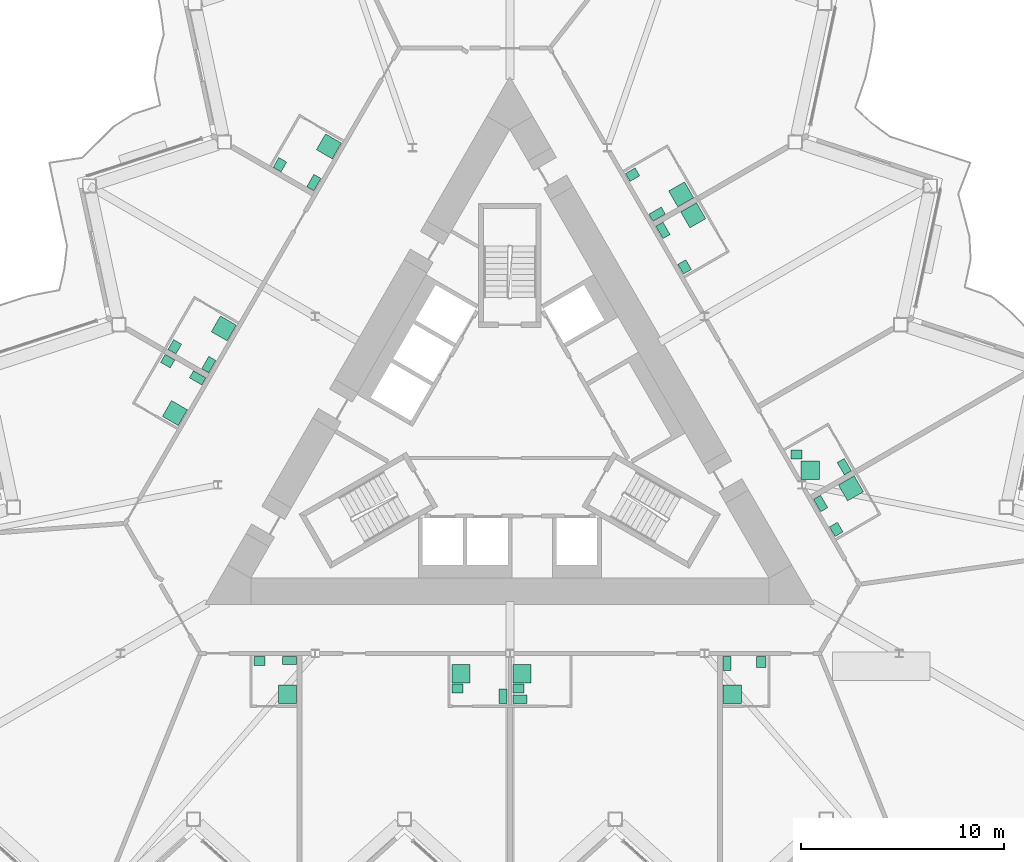
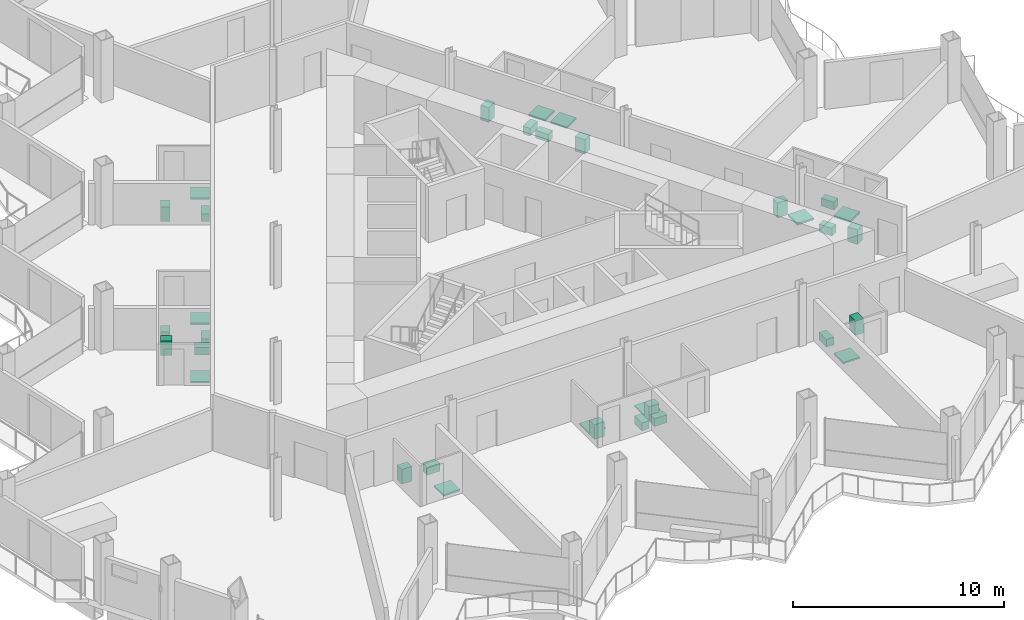
# One storey, part 23 of 24: 33 sanitary terminals.
"""IFC4 building model written with IfcOpenShell, lengths in metres."""

from ifc_helpers import new_model, si_unit, direction, frame, origin, origin_2d, place, context, subcontext, project, spatial, rectangle, extrude, material, type_object, element, save


model = new_model("IFC4")

# Units and contexts
model_context = context("Model", 3, precision=1e-05, world=origin(), true_north=direction((0.0, 1.0)))
body_context = subcontext(model_context, "Body", "Model", "MODEL_VIEW")
ifc_project = project(units=[si_unit("LENGTHUNIT", "METRE"), si_unit("AREAUNIT", "SQUARE_METRE"), si_unit("VOLUMEUNIT", "CUBIC_METRE"), si_unit("PLANEANGLEUNIT", "RADIAN"), si_unit("MASSUNIT", "GRAM", prefix="KILO")], contexts=[model_context])

# Site, building, storey
site_placement = place(None, origin())
site = spatial("IfcSite", under=ifc_project, at=site_placement, CompositionType="ELEMENT")
building_placement = place(site_placement, origin())
building = spatial("IfcBuilding", under=site, at=building_placement, Name="Cormorant Prow Tower", CompositionType="ELEMENT")
storey_placement = place(building_placement, frame((0.0, 0.0, 231.0)))
storey = spatial("IfcBuildingStorey", under=building, at=storey_placement, Name="L50", CompositionType="ELEMENT", Elevation=231.0)

# Sanitary terminals
ifc_material_1 = material(Name="Vitreous china")
sanitary_terminal_type_1 = type_object("IfcSanitaryTerminalType", Name="Shower tray 900x900", PredefinedType="SHOWER", material=ifc_material_1)
for number, where, z_axis, x_axis, name in (
    (1, (-10.938720703125, -13.065185546875, 0.0), (0.0, 0.0, 1.0), (-1.0, 0.0, 0.0), "Shower tray"),
    (2, (-2.405029296875, -12.065185546875, 0.0), (0.0, 0.0, 1.0), (1.0, 0.0, 0.0), "Shower tray"),
    (3, (0.594970703125, -12.065185546875, 0.0), (0.0, 0.0, 1.0), (1.0, 0.0, 0.0), "Shower tray"),
    (4, (10.938720703125, -13.065185546875, 0.0), (0.0, 0.0, 1.0), (0.0, 1.0, 0.0), "Shower tray"),
    (5, (16.7841796875, -2.940673828125, 0.0), (0.0, 0.0, 1.0), (0.5, -0.866025403784, 0.0), "Shower tray"),
    (6, (14.780029296875, -2.048095703125, 0.0), (0.0, 0.0, 1.0), (1.0, 0.0, 0.0), "Shower tray"),
    (7, (9.0263671875, 10.496337890625, 0.0), (0.0, 0.0, 1.0), (0.5, -0.866025403784, 0.0), "Shower tray"),
    (8, (8.431396484375, 11.52685546875, 0.0), (0.0, 0.0, 1.0), (-0.866025403784, -0.5, 0.0), "Shower tray"),
    (9, (-8.9033203125, 13.889404296875, 0.0), (0.0, 0.0, 1.0), (-0.5, -0.866025403784, 0.0), "Shower tray"),
    (10, (-14.0751953125, 4.931396484375, 0.0), (0.0, 0.0, 1.0), (-0.5, -0.866025403784, 0.0), "Shower tray"),
    (11, (-16.480224609375, 0.765869140625, 0.0), (0.0, 0.0, 1.0), (-0.866025403784, 0.5, 0.0), "Shower tray"),
):
    element("IfcSanitaryTerminal", number, at=place(storey_placement, frame(where, z_axis=z_axis, x_axis=x_axis)), inside=storey, type_object=sanitary_terminal_type_1, Name=name, PredefinedType="SHOWER", context=body_context, shape_type="SweptSolid", body=[
        extrude(rectangle(XDim=0.89990234375, YDim=0.89990234375, at=origin_2d()), origin(), (0.0, 0.0, 1.0), 0.10009765625),
    ])
ifc_material_2 = material(Name="Vitreous china")
sanitary_terminal_type_2 = type_object("IfcSanitaryTerminalType", Name="Wash basin 550x450", PredefinedType="WASHHANDBASIN", material=ifc_material_2)
for number, where, z_axis, x_axis, name in (
    (12, (-12.32373046875, -11.430419921875, 0.0), (0.0, 0.0, 1.0), (1.0, 0.0, 0.0), "Wash basin"),
    (13, (-2.580078125, -12.790283203125, 0.0), (0.0, 0.0, 1.0), (1.0, 0.0, 0.0), "Wash basin"),
    (14, (0.419921875, -12.790283203125, 0.0), (0.0, 0.0, 1.0), (1.0, 0.0, 0.0), "Wash basin"),
    (15, (12.373779296875, -11.480224609375, 0.0), (0.0, 0.0, 1.0), (0.0, -1.0, 0.0), "Wash basin"),
    (16, (16.060791015625, -4.95751953125, 0.0), (0.0, 0.0, 1.0), (-0.5, 0.866025403784, 0.0), "Wash basin"),
    (17, (14.10498046875, -1.273193359375, 0.0), (0.0, 0.0, 1.0), (1.0, 0.0, 0.0), "Wash basin"),
    (18, (8.602783203125, 7.959716796875, 0.0), (0.0, 0.0, 1.0), (-0.5, 0.866025403784, 0.0), "Wash basin"),
    (19, (6.041259765625, 12.496826171875, 0.0), (0.0, 0.0, 1.0), (0.866025403784, 0.5, 0.0), "Wash basin"),
    (20, (-11.311767578125, 12.98779296875, 0.0), (0.0, 0.0, 1.0), (0.5, 0.866025403784, 0.0), "Wash basin"),
    (21, (-16.483642578125, 4.02978515625, 0.0), (0.0, 0.0, 1.0), (0.5, 0.866025403784, 0.0), "Wash basin"),
    (22, (-16.83544921875, 3.32080078125, 0.0), (0.0, 0.0, 1.0), (0.866025403784, -0.5, 0.0), "Wash basin"),
):
    element("IfcSanitaryTerminal", number, at=place(storey_placement, frame(where, z_axis=z_axis, x_axis=x_axis)), inside=storey, type_object=sanitary_terminal_type_2, Name=name, PredefinedType="WASHHANDBASIN", context=body_context, shape_type="SweptSolid", body=[
        extrude(rectangle(XDim=0.550048828125, YDim=0.449951171875, at=origin_2d()), origin(), (0.0, 0.0, 1.0), 0.85009765625),
    ])
ifc_material_3 = material(Name="Vitreous china")
sanitary_terminal_type_3 = type_object("IfcSanitaryTerminalType", Name="Water closet 400x700", PredefinedType="WCSEAT", material=ifc_material_3)
for number, where, z_axis, x_axis, name in (
    (23, (-10.8388671875, -11.4052734375, 0.0), (0.0, 0.0, 1.0), (0.0, -1.0, 0.0), "Water closet"),
    (24, (-0.344970703125, -13.165283203125, 0.0), (0.0, 0.0, 1.0), (-1.0, 0.0, 0.0), "Water closet"),
    (25, (0.4951171875, -13.315185546875, 0.0), (0.0, 0.0, 1.0), (0.0, 1.0, 0.0), "Water closet"),
    (26, (10.688720703125, -11.555419921875, 0.0), (0.0, 0.0, 1.0), (1.0, 0.0, 0.0), "Water closet"),
    (27, (15.296630859375, -3.68408203125, 0.0), (0.0, 0.0, 1.0), (0.866025403784, 0.5, 0.0), "Water closet"),
    (28, (16.455810546875, -1.87158203125, 0.0), (0.0, 0.0, 1.0), (-0.866025403784, -0.5, 0.0), "Water closet"),
    (29, (7.538818359375, 9.7529296875, 0.0), (0.0, 0.0, 1.0), (0.866025403784, 0.5, 0.0), "Water closet"),
    (30, (7.248779296875, 10.555419921875, 0.0), (0.0, 0.0, 1.0), (-0.5, 0.866025403784, 0.0), "Water closet"),
    (31, (-9.641845703125, 12.1103515625, 0.0), (0.0, 0.0, 1.0), (-0.866025403784, 0.5, 0.0), "Water closet"),
    (32, (-14.813720703125, 3.15234375, 0.0), (0.0, 0.0, 1.0), (-0.866025403784, 0.5, 0.0), "Water closet"),
    (33, (-15.36376953125, 2.5, 0.0), (0.0, 0.0, 1.0), (-0.5, -0.866025403784, 0.0), "Water closet"),
):
    element("IfcSanitaryTerminal", number, at=place(storey_placement, frame(where, z_axis=z_axis, x_axis=x_axis)), inside=storey, type_object=sanitary_terminal_type_3, Name=name, PredefinedType="WCSEAT", context=body_context, shape_type="SweptSolid", body=[
        extrude(rectangle(XDim=0.39990234375, YDim=0.699951171875, at=origin_2d()), origin(), (0.0, 0.0, 1.0), 0.449951171875),
    ])

save(model, "model.ifc")
